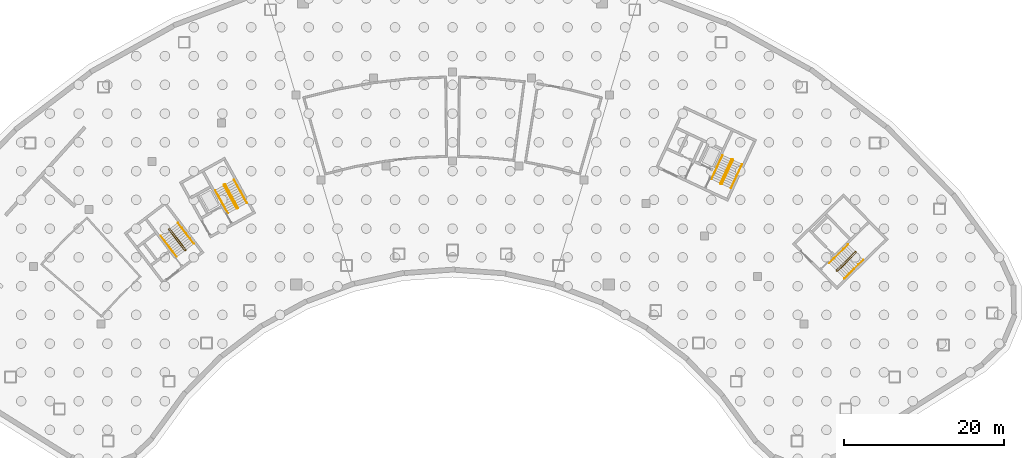
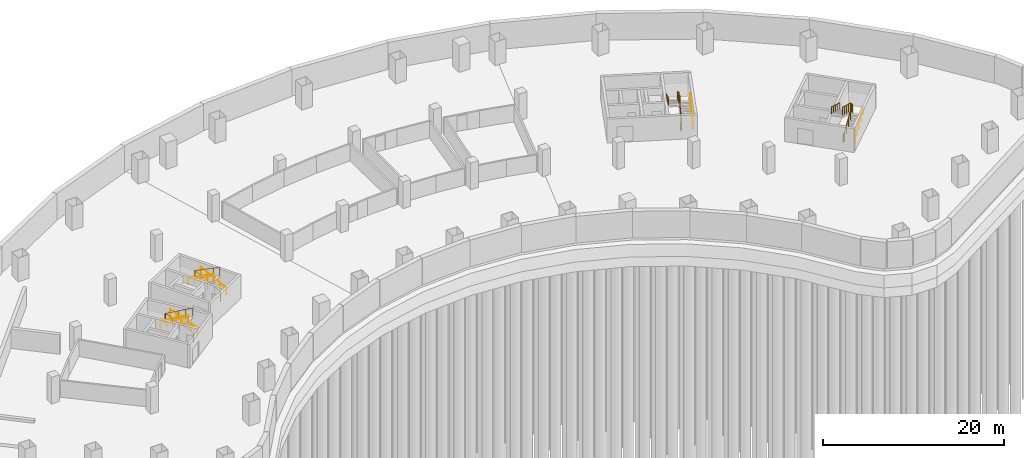
# One storey, part 9 of 10: 12 railings.
"""IFC4 building model written with IfcOpenShell, lengths in metres."""

from ifc_helpers import new_model, si_unit, direction, frame, origin, origin_2d, place, context, subcontext, project, spatial, circle, extrude, material, type_object, element, save


model = new_model("IFC4")

# Units and contexts
model_context = context("Model", 3, precision=1e-05, world=origin(), true_north=direction((0.0, 1.0)))
body_context = subcontext(model_context, "Body", "Model", "MODEL_VIEW")
ifc_project = project(units=[si_unit("LENGTHUNIT", "METRE"), si_unit("AREAUNIT", "SQUARE_METRE"), si_unit("VOLUMEUNIT", "CUBIC_METRE"), si_unit("PLANEANGLEUNIT", "RADIAN"), si_unit("MASSUNIT", "GRAM", prefix="KILO")], contexts=[model_context])

# Site, building, storey
site_placement = place(None, origin())
site = spatial("IfcSite", under=ifc_project, at=site_placement, CompositionType="ELEMENT")
building_placement = place(site_placement, origin())
building = spatial("IfcBuilding", under=site, at=building_placement, Name="Tuul Gate Civic Tower", CompositionType="ELEMENT")
storey_placement = place(building_placement, frame((0.0, 0.0, -11.699951171875)))
storey = spatial("IfcBuildingStorey", under=building, at=storey_placement, Name="Basement 3", CompositionType="ELEMENT", Elevation=-11.699951171875)

# Railings
ifc_material_1 = material(Name="Painted steel", Category="steel")
railing_type_1 = type_object("IfcRailingType", Name="Stair guard", PredefinedType="GUARDRAIL", material=ifc_material_1)
railing_1_placement = place(storey_placement, frame((-33.382080078125, -13.515380859375, 0.0)))
element("IfcRailing", 1, at=railing_1_placement, inside=storey, type_object=railing_type_1, Name="Basement 3 ST-1 stair guard 1", PredefinedType="GUARDRAIL", context=body_context, shape_type="SweptSolid", body=[
    extrude(circle(Radius=0.02392578125, at=origin_2d()), frame((0.0, 0.0, 1.076171875), z_axis=(-0.795879841968, -0.605454603706, 0.0), x_axis=(0.605454603706, -0.795879841968, 0.0)), (0.0, 0.0, 1.0), 0.10009765625),
    extrude(circle(Radius=0.02392578125, at=origin_2d()), frame((-0.07958984375, -0.060546875, 1.076171875), z_axis=(0.408991890351, 0.599481263939, 0.688002796371), x_axis=(-0.826063974707, 0.563576356576, 0.0)), (0.0, 0.0, 1.0), 0.2177734375),
    extrude(circle(Radius=0.02392578125, at=origin_2d()), frame((0.009521484375, 0.070068359375, 1.22607421875), z_axis=(-0.541817039649, 0.711614612162, 0.447257128846), x_axis=(-0.795628686791, -0.60578460921, 0.0)), (0.0, 0.0, 1.0), 3.689453125),
    extrude(circle(Radius=0.02392578125, at=origin_2d()), frame((-1.989501953125, 2.695556640625, 2.8759765625), z_axis=(-0.990893089246, 0.134650977284, 0.0), x_axis=(-0.134650977284, -0.990893089246, 0.0)), (0.0, 0.0, 1.0), 0.07080078125),
    extrude(circle(Radius=0.02392578125, at=origin_2d()), frame((-2.0595703125, 2.705078125, 2.8759765625), z_axis=(-0.795879841968, -0.605454603706, 0.0), x_axis=(0.605454603706, -0.795879841968, 0.0)), (0.0, 0.0, 1.0), 0.10009765625),
    extrude(circle(Radius=0.02392578125, at=origin_2d()), frame((-2.13916015625, 2.64453125, 2.8759765625), z_axis=(-0.057447065493, -0.422751481959, 0.904423031091), x_axis=(0.990893089246, -0.134650977284, 0.0)), (0.0, 0.0, 1.0), 0.165771484375),
    extrude(circle(Radius=0.02392578125, at=origin_2d()), frame((-2.148681640625, 2.574462890625, 3.02587890625), z_axis=(0.541833074758, -0.711635672441, 0.447204191403), x_axis=(0.795628686791, 0.60578460921, 0.0)), (0.0, 0.0, 1.0), 3.689453125),
    extrude(circle(Radius=0.02099609375, at=origin_2d()), origin(), (0.0, 0.0, 1.0), 1.052001953125),
    extrude(circle(Radius=0.02099609375, at=origin_2d()), frame((-0.07958984375, -0.060546875, 0.0)), (0.0, 0.0, 1.0), 1.052001953125),
    extrude(circle(Radius=0.02099609375, at=origin_2d()), frame((0.009521484375, 0.070068359375, 0.14990234375)), (0.0, 0.0, 1.0), 1.052001953125),
    extrude(circle(Radius=0.02099609375, at=origin_2d()), frame((-0.490234375, 0.7265625, 0.5625)), (0.0, 0.0, 1.0), 1.052001953125),
    extrude(circle(Radius=0.02099609375, at=origin_2d()), frame((-0.989990234375, 1.3828125, 0.97509765625)), (0.0, 0.0, 1.0), 1.052001953125),
    extrude(circle(Radius=0.02099609375, at=origin_2d()), frame((-1.48974609375, 2.0390625, 1.387451171875)), (0.0, 0.0, 1.0), 1.052001953125),
    extrude(circle(Radius=0.02099609375, at=origin_2d()), frame((-1.989501953125, 2.695556640625, 1.800048828125)), (0.0, 0.0, 1.0), 1.052001953125),
    extrude(circle(Radius=0.02099609375, at=origin_2d()), frame((-2.0595703125, 2.705078125, 1.800048828125)), (0.0, 0.0, 1.0), 1.052001953125),
    extrude(circle(Radius=0.02099609375, at=origin_2d()), frame((-2.13916015625, 2.64453125, 1.800048828125)), (0.0, 0.0, 1.0), 1.052001953125),
    extrude(circle(Radius=0.02099609375, at=origin_2d()), frame((-2.148681640625, 2.574462890625, 1.949951171875)), (0.0, 0.0, 1.0), 1.052001953125),
    extrude(circle(Radius=0.02099609375, at=origin_2d()), frame((-1.64892578125, 1.91796875, 2.3623046875)), (0.0, 0.0, 1.0), 1.052001953125),
    extrude(circle(Radius=0.02099609375, at=origin_2d()), frame((-1.149169921875, 1.26171875, 2.77490234375)), (0.0, 0.0, 1.0), 1.052001953125),
    extrude(circle(Radius=0.02099609375, at=origin_2d()), frame((-0.6494140625, 0.60546875, 3.1875)), (0.0, 0.0, 1.0), 1.052001953125),
    extrude(circle(Radius=0.02099609375, at=origin_2d()), frame((-0.149658203125, -0.051025390625, 3.599853515625)), (0.0, 0.0, 1.0), 1.052001953125),
])
railing_2_placement = place(storey_placement, frame((-26.857666015625, -8.247314453125, 0.0)))
element("IfcRailing", 2, at=railing_2_placement, inside=storey, type_object=railing_type_1, Name="Basement 3 ST-2 stair guard 1", PredefinedType="GUARDRAIL", context=body_context, shape_type="SweptSolid", body=[
    extrude(circle(Radius=0.02392578125, at=origin_2d()), frame((0.0, 0.0, 1.076171875), z_axis=(-0.874616555828, -0.48481530532, 0.0), x_axis=(0.48481530532, -0.874616555828, 0.0)), (0.0, 0.0, 1.0), 0.10009765625),
    extrude(circle(Radius=0.02392578125, at=origin_2d()), frame((-0.087646484375, -0.048583984375, 1.076171875), z_axis=(0.49081399482, 0.534516610797, 0.688036056665), x_axis=(-0.736576986774, 0.676353711126, 0.0)), (0.0, 0.0, 1.0), 0.2177734375),
    extrude(circle(Radius=0.02392578125, at=origin_2d()), frame((0.019287109375, 0.06787109375, 1.22607421875), z_axis=(-0.433540359644, 0.782318020769, 0.447237376501), x_axis=(-0.874669765463, -0.484719301642, 0.0)), (0.0, 0.0, 1.0), 3.689697265625),
    extrude(circle(Radius=0.02392578125, at=origin_2d()), frame((-1.580322265625, 2.954345703125, 2.8759765625), z_axis=(-0.961914682459, 0.273349855807, 0.0), x_axis=(-0.273349855807, -0.961914682459, 0.0)), (0.0, 0.0, 1.0), 0.070556640625),
    extrude(circle(Radius=0.02392578125, at=origin_2d()), frame((-1.648193359375, 2.9736328125, 2.8759765625), z_axis=(-0.87564882518, -0.482948377119, 0.0), x_axis=(0.482948377119, -0.87564882518, 0.0)), (0.0, 0.0, 1.0), 0.10009765625),
    extrude(circle(Radius=0.02392578125, at=origin_2d()), frame((-1.73583984375, 2.92529296875, 2.8759765625), z_axis=(-0.116342901606, -0.410881893015, 0.904234703624), x_axis=(0.962171938298, -0.272442950271, 0.0)), (0.0, 0.0, 1.0), 0.165771484375),
    extrude(circle(Radius=0.02392578125, at=origin_2d()), frame((-1.755126953125, 2.857177734375, 3.02587890625), z_axis=(0.43357563431, -0.782315498904, 0.447207591067), x_axis=(0.874652381884, 0.484750668762, 0.0)), (0.0, 0.0, 1.0), 3.689453125),
    extrude(circle(Radius=0.02099609375, at=origin_2d()), origin(), (0.0, 0.0, 1.0), 1.052001953125),
    extrude(circle(Radius=0.02099609375, at=origin_2d()), frame((-0.087646484375, -0.048583984375, 0.0)), (0.0, 0.0, 1.0), 1.052001953125),
    extrude(circle(Radius=0.02099609375, at=origin_2d()), frame((0.019287109375, 0.06787109375, 0.14990234375)), (0.0, 0.0, 1.0), 1.052001953125),
    extrude(circle(Radius=0.02099609375, at=origin_2d()), frame((-0.380615234375, 0.78955078125, 0.5625)), (0.0, 0.0, 1.0), 1.052001953125),
    extrude(circle(Radius=0.02099609375, at=origin_2d()), frame((-0.780517578125, 1.51123046875, 0.97509765625)), (0.0, 0.0, 1.0), 1.052001953125),
    extrude(circle(Radius=0.02099609375, at=origin_2d()), frame((-1.180419921875, 2.232666015625, 1.387451171875)), (0.0, 0.0, 1.0), 1.052001953125),
    extrude(circle(Radius=0.02099609375, at=origin_2d()), frame((-1.580322265625, 2.954345703125, 1.800048828125)), (0.0, 0.0, 1.0), 1.052001953125),
    extrude(circle(Radius=0.02099609375, at=origin_2d()), frame((-1.648193359375, 2.9736328125, 1.800048828125)), (0.0, 0.0, 1.0), 1.052001953125),
    extrude(circle(Radius=0.02099609375, at=origin_2d()), frame((-1.73583984375, 2.92529296875, 1.800048828125)), (0.0, 0.0, 1.0), 1.052001953125),
    extrude(circle(Radius=0.02099609375, at=origin_2d()), frame((-1.755126953125, 2.857177734375, 1.949951171875)), (0.0, 0.0, 1.0), 1.052001953125),
    extrude(circle(Radius=0.02099609375, at=origin_2d()), frame((-1.355224609375, 2.1357421875, 2.3623046875)), (0.0, 0.0, 1.0), 1.052001953125),
    extrude(circle(Radius=0.02099609375, at=origin_2d()), frame((-0.955322265625, 1.4140625, 2.77490234375)), (0.0, 0.0, 1.0), 1.052001953125),
    extrude(circle(Radius=0.02099609375, at=origin_2d()), frame((-0.555419921875, 0.6923828125, 3.1875)), (0.0, 0.0, 1.0), 1.052001953125),
    extrude(circle(Radius=0.02099609375, at=origin_2d()), frame((-0.155517578125, -0.029052734375, 3.599853515625)), (0.0, 0.0, 1.0), 1.052001953125),
])
railing_3_placement = place(storey_placement, frame((48.10546875, -16.134765625, 0.0)))
element("IfcRailing", 3, at=railing_3_placement, inside=storey, type_object=railing_type_1, Name="Basement 3 ST-3 stair guard 1", PredefinedType="GUARDRAIL", context=body_context, shape_type="SweptSolid", body=[
    extrude(circle(Radius=0.02392578125, at=origin_2d()), frame((0.0, 0.0, 1.076171875), z_axis=(-0.698506948293, 0.715603272202, 0.0), x_axis=(-0.715603272202, -0.698506948293, 0.0)), (0.0, 0.0, 1.0), 0.099853515625),
    extrude(circle(Radius=0.02392578125, at=origin_2d()), frame((-0.06982421875, 0.071533203125, 1.076171875), z_axis=(0.645446321009, -0.331687692741, 0.688027849131), x_axis=(0.457068866502, 0.889431307788, 0.0)), (0.0, 0.0, 1.0), 0.2177734375),
    extrude(circle(Radius=0.02392578125, at=origin_2d()), frame((0.07080078125, -0.000732421875, 1.22607421875), z_axis=(0.638733984152, 0.626095613596, 0.447239510917), x_axis=(-0.700006317678, 0.714136650237, 0.0)), (0.0, 0.0, 1.0), 3.689697265625),
    extrude(circle(Radius=0.02392578125, at=origin_2d()), frame((2.427490234375, 2.309326171875, 2.8759765625), z_axis=(0.010344274102, 0.999946496565, 0.0), x_axis=(-0.999946496565, 0.010344274102, 0.0)), (0.0, 0.0, 1.0), 0.07080078125),
    extrude(circle(Radius=0.02392578125, at=origin_2d()), frame((2.42822265625, 2.380126953125, 2.8759765625), z_axis=(-0.700974368541, 0.713186465554, 0.0), x_axis=(-0.713186465554, -0.700974368541, 0.0)), (0.0, 0.0, 1.0), 0.099853515625),
    extrude(circle(Radius=0.02392578125, at=origin_2d()), frame((2.358154296875, 2.451416015625, 2.8759765625), z_axis=(-0.427069033481, 0.004417955519, 0.904208229508), x_axis=(-0.010344274102, -0.999946496565, 0.0)), (0.0, 0.0, 1.0), 0.165771484375),
    extrude(circle(Radius=0.02392578125, at=origin_2d()), frame((2.287353515625, 2.4521484375, 3.02587890625), z_axis=(-0.638752886034, -0.626114141475, 0.447186574518), x_axis=(0.700006317678, -0.714136650237, 0.0)), (0.0, 0.0, 1.0), 3.689453125),
    extrude(circle(Radius=0.02099609375, at=origin_2d()), origin(), (0.0, 0.0, 1.0), 1.052001953125),
    extrude(circle(Radius=0.02099609375, at=origin_2d()), frame((-0.06982421875, 0.071533203125, 0.0)), (0.0, 0.0, 1.0), 1.052001953125),
    extrude(circle(Radius=0.02099609375, at=origin_2d()), frame((0.07080078125, -0.000732421875, 0.14990234375)), (0.0, 0.0, 1.0), 1.052001953125),
    extrude(circle(Radius=0.02099609375, at=origin_2d()), frame((0.659912109375, 0.57666015625, 0.5625)), (0.0, 0.0, 1.0), 1.052001953125),
    extrude(circle(Radius=0.02099609375, at=origin_2d()), frame((1.2490234375, 1.154296875, 0.97509765625)), (0.0, 0.0, 1.0), 1.052001953125),
    extrude(circle(Radius=0.02099609375, at=origin_2d()), frame((1.83837890625, 1.73193359375, 1.387451171875)), (0.0, 0.0, 1.0), 1.052001953125),
    extrude(circle(Radius=0.02099609375, at=origin_2d()), frame((2.427490234375, 2.309326171875, 1.800048828125)), (0.0, 0.0, 1.0), 1.052001953125),
    extrude(circle(Radius=0.02099609375, at=origin_2d()), frame((2.42822265625, 2.380126953125, 1.800048828125)), (0.0, 0.0, 1.0), 1.052001953125),
    extrude(circle(Radius=0.02099609375, at=origin_2d()), frame((2.358154296875, 2.451416015625, 1.800048828125)), (0.0, 0.0, 1.0), 1.052001953125),
    extrude(circle(Radius=0.02099609375, at=origin_2d()), frame((2.287353515625, 2.4521484375, 1.949951171875)), (0.0, 0.0, 1.0), 1.052001953125),
    extrude(circle(Radius=0.02099609375, at=origin_2d()), frame((1.6982421875, 1.87451171875, 2.3623046875)), (0.0, 0.0, 1.0), 1.052001953125),
    extrude(circle(Radius=0.02099609375, at=origin_2d()), frame((1.10888671875, 1.297119140625, 2.77490234375)), (0.0, 0.0, 1.0), 1.052001953125),
    extrude(circle(Radius=0.02099609375, at=origin_2d()), frame((0.519775390625, 0.7197265625, 3.1875)), (0.0, 0.0, 1.0), 1.052001953125),
    extrude(circle(Radius=0.02099609375, at=origin_2d()), frame((-0.0693359375, 0.14208984375, 3.599853515625)), (0.0, 0.0, 1.0), 1.052001953125),
])
railing_4_placement = place(storey_placement, frame((33.645751953125, -5.238525390625, 0.0)))
element("IfcRailing", 4, at=railing_4_placement, inside=storey, type_object=railing_type_1, Name="Basement 3 ST-4 stair guard 1", PredefinedType="GUARDRAIL", context=body_context, shape_type="SweptSolid", body=[
    extrude(circle(Radius=0.02392578125, at=origin_2d()), frame((0.0, 0.0, 1.076171875), z_axis=(-0.906307919131, 0.422617978463, 0.0), x_axis=(-0.422617978463, -0.906307919131, 0.0)), (0.0, 0.0, 1.0), 0.099853515625),
    extrude(circle(Radius=0.02392578125, at=origin_2d()), frame((-0.090576171875, 0.042236328125, 1.076171875), z_axis=(0.720735628292, -0.082946246491, 0.688229666829), x_axis=(0.114330889033, 0.993442724979, 0.0)), (0.0, 0.0, 1.0), 0.2177734375),
    extrude(circle(Radius=0.02392578125, at=origin_2d()), frame((0.06640625, 0.024169921875, 1.22607421875), z_axis=(0.377976954193, 0.810612340488, 0.447259494642), x_axis=(-0.906315404461, 0.422601925737, 0.0)), (0.0, 0.0, 1.0), 3.689453125),
    extrude(circle(Radius=0.02392578125, at=origin_2d()), frame((1.4609375, 3.014892578125, 2.8759765625), z_axis=(-0.340913456846, 0.94009468403, 0.0), x_axis=(-0.94009468403, -0.340913456846, 0.0)), (0.0, 0.0, 1.0), 0.07080078125),
    extrude(circle(Radius=0.02392578125, at=origin_2d()), frame((1.436767578125, 3.08154296875, 2.8759765625), z_axis=(-0.906307919131, 0.422617978463, 0.0), x_axis=(-0.422617978463, -0.906307919131, 0.0)), (0.0, 0.0, 1.0), 0.099853515625),
    extrude(circle(Radius=0.02392578125, at=origin_2d()), frame((1.34619140625, 3.123779296875, 2.8759765625), z_axis=(-0.401937642714, -0.145757606699, 0.903991621343), x_axis=(0.340913456846, -0.94009468403, 0.0)), (0.0, 0.0, 1.0), 0.165771484375),
    extrude(circle(Radius=0.02392578125, at=origin_2d()), frame((1.279541015625, 3.099609375, 3.02587890625), z_axis=(-0.377911144985, -0.810679292105, 0.447193752024), x_axis=(0.906356948754, -0.422512818083, 0.0)), (0.0, 0.0, 1.0), 3.689453125),
    extrude(circle(Radius=0.02099609375, at=origin_2d()), origin(), (0.0, 0.0, 1.0), 1.052001953125),
    extrude(circle(Radius=0.02099609375, at=origin_2d()), frame((-0.090576171875, 0.042236328125, 0.0)), (0.0, 0.0, 1.0), 1.052001953125),
    extrude(circle(Radius=0.02099609375, at=origin_2d()), frame((0.06640625, 0.024169921875, 0.14990234375)), (0.0, 0.0, 1.0), 1.052001953125),
    extrude(circle(Radius=0.02099609375, at=origin_2d()), frame((0.4150390625, 0.77197265625, 0.5625)), (0.0, 0.0, 1.0), 1.052001953125),
    extrude(circle(Radius=0.02099609375, at=origin_2d()), frame((0.763671875, 1.51953125, 0.97509765625)), (0.0, 0.0, 1.0), 1.052001953125),
    extrude(circle(Radius=0.02099609375, at=origin_2d()), frame((1.1123046875, 2.26708984375, 1.387451171875)), (0.0, 0.0, 1.0), 1.052001953125),
    extrude(circle(Radius=0.02099609375, at=origin_2d()), frame((1.4609375, 3.014892578125, 1.800048828125)), (0.0, 0.0, 1.0), 1.052001953125),
    extrude(circle(Radius=0.02099609375, at=origin_2d()), frame((1.436767578125, 3.08154296875, 1.800048828125)), (0.0, 0.0, 1.0), 1.052001953125),
    extrude(circle(Radius=0.02099609375, at=origin_2d()), frame((1.34619140625, 3.123779296875, 1.800048828125)), (0.0, 0.0, 1.0), 1.052001953125),
    extrude(circle(Radius=0.02099609375, at=origin_2d()), frame((1.279541015625, 3.099609375, 1.949951171875)), (0.0, 0.0, 1.0), 1.052001953125),
    extrude(circle(Radius=0.02099609375, at=origin_2d()), frame((0.930908203125, 2.351806640625, 2.3623046875)), (0.0, 0.0, 1.0), 1.052001953125),
    extrude(circle(Radius=0.02099609375, at=origin_2d()), frame((0.58251953125, 1.60400390625, 2.77490234375)), (0.0, 0.0, 1.0), 1.052001953125),
    extrude(circle(Radius=0.02099609375, at=origin_2d()), frame((0.23388671875, 0.8564453125, 3.1875)), (0.0, 0.0, 1.0), 1.052001953125),
    extrude(circle(Radius=0.02099609375, at=origin_2d()), frame((-0.11474609375, 0.108642578125, 3.599853515625)), (0.0, 0.0, 1.0), 1.052001953125),
])
ifc_material_2 = material(Name="Painted steel", Category="steel")
railing_type_2 = type_object("IfcRailingType", Name="Stair handrail", PredefinedType="HANDRAIL", material=ifc_material_2)
railing_5_placement = place(storey_placement, frame((-32.3779296875, -12.688232421875, 0.14990234375)))
element("IfcRailing", 5, at=railing_5_placement, inside=storey, type_object=railing_type_2, Name="Basement 3 ST-1 stair handrail 1", PredefinedType="HANDRAIL", context=body_context, shape_type="SweptSolid", body=[
    extrude(circle(Radius=0.02392578125, at=origin_2d()), frame((0.0, 0.0, 0.8759765625), z_axis=(-0.54179152663, 0.711647272704, 0.447236068453), x_axis=(-0.795655834834, -0.605748951708, 0.0)), (0.0, 0.0, 1.0), 3.689697265625),
    extrude(circle(Radius=0.02099609375, at=origin_2d()), origin(), (0.0, 0.0, 1.0), 0.851806640625),
    extrude(circle(Radius=0.02099609375, at=origin_2d()), frame((-0.499755859375, 0.656494140625, 0.41259765625)), (0.0, 0.0, 1.0), 0.851806640625),
    extrude(circle(Radius=0.02099609375, at=origin_2d()), frame((-0.99951171875, 1.31298828125, 0.8251953125)), (0.0, 0.0, 1.0), 0.851806640625),
    extrude(circle(Radius=0.02099609375, at=origin_2d()), frame((-1.499267578125, 1.96923828125, 1.237548828125)), (0.0, 0.0, 1.0), 0.851806640625),
    extrude(circle(Radius=0.02099609375, at=origin_2d()), frame((-1.9990234375, 2.625732421875, 1.650146484375)), (0.0, 0.0, 1.0), 0.851806640625),
])
railing_6_placement = place(storey_placement, frame((-36.525146484375, -11.697998046875, 1.949951171875)))
element("IfcRailing", 6, at=railing_6_placement, inside=storey, type_object=railing_type_2, Name="Basement 3 ST-1 stair handrail 2", PredefinedType="HANDRAIL", context=body_context, shape_type="SweptSolid", body=[
    extrude(circle(Radius=0.02392578125, at=origin_2d()), frame((0.0, 0.0, 0.8759765625), z_axis=(0.541807559473, -0.711668331966, 0.447183132257), x_axis=(0.795655834834, 0.605748951708, 0.0)), (0.0, 0.0, 1.0), 3.689453125),
    extrude(circle(Radius=0.02099609375, at=origin_2d()), origin(), (0.0, 0.0, 1.0), 0.851806640625),
    extrude(circle(Radius=0.02099609375, at=origin_2d()), frame((0.499755859375, -0.656494140625, 0.41259765625)), (0.0, 0.0, 1.0), 0.851806640625),
    extrude(circle(Radius=0.02099609375, at=origin_2d()), frame((0.99951171875, -1.31298828125, 0.824951171875)), (0.0, 0.0, 1.0), 0.851806640625),
    extrude(circle(Radius=0.02099609375, at=origin_2d()), frame((1.499267578125, -1.96923828125, 1.2373046875)), (0.0, 0.0, 1.0), 0.851806640625),
    extrude(circle(Radius=0.02099609375, at=origin_2d()), frame((1.9990234375, -2.625732421875, 1.64990234375)), (0.0, 0.0, 1.0), 0.851806640625),
])
railing_7_placement = place(storey_placement, frame((-25.744873046875, -7.573486328125, 0.14990234375)))
element("IfcRailing", 7, at=railing_7_placement, inside=storey, type_object=railing_type_2, Name="Basement 3 ST-2 stair handrail 1", PredefinedType="HANDRAIL", context=body_context, shape_type="SweptSolid", body=[
    extrude(circle(Radius=0.02392578125, at=origin_2d()), frame((0.0, 0.0, 0.8759765625), z_axis=(-0.433594089522, 0.782295577663, 0.447224546174), x_axis=(-0.874638399355, -0.484775897063, 0.0)), (0.0, 0.0, 1.0), 3.689697265625),
    extrude(circle(Radius=0.02099609375, at=origin_2d()), origin(), (0.0, 0.0, 1.0), 0.851806640625),
    extrude(circle(Radius=0.02099609375, at=origin_2d()), frame((-0.39990234375, 0.7216796875, 0.41259765625)), (0.0, 0.0, 1.0), 0.851806640625),
    extrude(circle(Radius=0.02099609375, at=origin_2d()), frame((-0.7998046875, 1.443359375, 0.8251953125)), (0.0, 0.0, 1.0), 0.851806640625),
    extrude(circle(Radius=0.02099609375, at=origin_2d()), frame((-1.199951171875, 2.164794921875, 1.237548828125)), (0.0, 0.0, 1.0), 0.851806640625),
    extrude(circle(Radius=0.02099609375, at=origin_2d()), frame((-1.599853515625, 2.886474609375, 1.650146484375)), (0.0, 0.0, 1.0), 0.851806640625),
])
railing_8_placement = place(storey_placement, frame((-29.706298828125, -5.99609375, 1.949951171875)))
element("IfcRailing", 8, at=railing_8_placement, inside=storey, type_object=railing_type_2, Name="Basement 3 ST-2 stair handrail 2", PredefinedType="HANDRAIL", context=body_context, shape_type="SweptSolid", body=[
    extrude(circle(Radius=0.02392578125, at=origin_2d()), frame((0.0, 0.0, 0.8759765625), z_axis=(0.433629366535, -0.782293052218, 0.447194759507), x_axis=(0.87462101234, 0.484807265595, 0.0)), (0.0, 0.0, 1.0), 3.689453125),
    extrude(circle(Radius=0.02099609375, at=origin_2d()), origin(), (0.0, 0.0, 1.0), 0.851806640625),
    extrude(circle(Radius=0.02099609375, at=origin_2d()), frame((0.39990234375, -0.7216796875, 0.41259765625)), (0.0, 0.0, 1.0), 0.851806640625),
    extrude(circle(Radius=0.02099609375, at=origin_2d()), frame((0.7998046875, -1.443115234375, 0.824951171875)), (0.0, 0.0, 1.0), 0.851806640625),
    extrude(circle(Radius=0.02099609375, at=origin_2d()), frame((1.199951171875, -2.16455078125, 1.2373046875)), (0.0, 0.0, 1.0), 0.851806640625),
    extrude(circle(Radius=0.02099609375, at=origin_2d()), frame((1.599853515625, -2.88623046875, 1.64990234375)), (0.0, 0.0, 1.0), 0.851806640625),
])
railing_9_placement = place(storey_placement, frame((49.05126953125, -17.028076171875, 0.14990234375)))
element("IfcRailing", 9, at=railing_9_placement, inside=storey, type_object=railing_type_2, Name="Basement 3 ST-3 stair handrail 1", PredefinedType="HANDRAIL", context=body_context, shape_type="SweptSolid", body=[
    extrude(circle(Radius=0.02392578125, at=origin_2d()), frame((0.0, 0.0, 0.8759765625), z_axis=(0.638733984152, 0.626095613596, 0.447239510917), x_axis=(-0.700006317678, 0.714136650237, 0.0)), (0.0, 0.0, 1.0), 3.689697265625),
    extrude(circle(Radius=0.02099609375, at=origin_2d()), origin(), (0.0, 0.0, 1.0), 0.851806640625),
    extrude(circle(Radius=0.02099609375, at=origin_2d()), frame((0.589111328125, 0.57763671875, 0.41259765625)), (0.0, 0.0, 1.0), 0.851806640625),
    extrude(circle(Radius=0.02099609375, at=origin_2d()), frame((1.17822265625, 1.155029296875, 0.8251953125)), (0.0, 0.0, 1.0), 0.851806640625),
    extrude(circle(Radius=0.02099609375, at=origin_2d()), frame((1.767578125, 1.732421875, 1.237548828125)), (0.0, 0.0, 1.0), 0.851806640625),
    extrude(circle(Radius=0.02099609375, at=origin_2d()), frame((2.356689453125, 2.31005859375, 1.650146484375)), (0.0, 0.0, 1.0), 0.851806640625),
])
railing_10_placement = place(storey_placement, frame((49.517822265625, -12.789794921875, 1.949951171875)))
element("IfcRailing", 10, at=railing_10_placement, inside=storey, type_object=railing_type_2, Name="Basement 3 ST-3 stair handrail 2", PredefinedType="HANDRAIL", context=body_context, shape_type="SweptSolid", body=[
    extrude(circle(Radius=0.02392578125, at=origin_2d()), frame((0.0, 0.0, 0.8759765625), z_axis=(-0.638752886034, -0.626114141475, 0.447186574518), x_axis=(0.700006317678, -0.714136650237, 0.0)), (0.0, 0.0, 1.0), 3.689453125),
    extrude(circle(Radius=0.02099609375, at=origin_2d()), origin(), (0.0, 0.0, 1.0), 0.851806640625),
    extrude(circle(Radius=0.02099609375, at=origin_2d()), frame((-0.589111328125, -0.57763671875, 0.41259765625)), (0.0, 0.0, 1.0), 0.851806640625),
    extrude(circle(Radius=0.02099609375, at=origin_2d()), frame((-1.17822265625, -1.155029296875, 0.824951171875)), (0.0, 0.0, 1.0), 0.851806640625),
    extrude(circle(Radius=0.02099609375, at=origin_2d()), frame((-1.767578125, -1.732421875, 1.2373046875)), (0.0, 0.0, 1.0), 0.851806640625),
    extrude(circle(Radius=0.02099609375, at=origin_2d()), frame((-2.356689453125, -2.31005859375, 1.64990234375)), (0.0, 0.0, 1.0), 0.851806640625),
])
railing_11_placement = place(storey_placement, frame((34.844970703125, -5.74267578125, 0.14990234375)))
element("IfcRailing", 11, at=railing_11_placement, inside=storey, type_object=railing_type_2, Name="Basement 3 ST-4 stair handrail 1", PredefinedType="HANDRAIL", context=body_context, shape_type="SweptSolid", body=[
    extrude(circle(Radius=0.02392578125, at=origin_2d()), frame((0.0, 0.0, 0.8759765625), z_axis=(0.37795668024, 0.810635029696, 0.447235504507), x_axis=(-0.906328616278, 0.422573590415, 0.0)), (0.0, 0.0, 1.0), 3.689697265625),
    extrude(circle(Radius=0.02099609375, at=origin_2d()), origin(), (0.0, 0.0, 1.0), 0.851806640625),
    extrude(circle(Radius=0.02099609375, at=origin_2d()), frame((0.3486328125, 0.747802734375, 0.41259765625)), (0.0, 0.0, 1.0), 0.851806640625),
    extrude(circle(Radius=0.02099609375, at=origin_2d()), frame((0.697265625, 1.49560546875, 0.8251953125)), (0.0, 0.0, 1.0), 0.851806640625),
    extrude(circle(Radius=0.02099609375, at=origin_2d()), frame((1.0458984375, 2.2431640625, 1.237548828125)), (0.0, 0.0, 1.0), 0.851806640625),
    extrude(circle(Radius=0.02099609375, at=origin_2d()), frame((1.39453125, 2.990966796875, 1.650146484375)), (0.0, 0.0, 1.0), 0.851806640625),
])
railing_12_placement = place(storey_placement, frame((33.79248046875, -1.61083984375, 1.949951171875)))
element("IfcRailing", 12, at=railing_12_placement, inside=storey, type_object=railing_type_2, Name="Basement 3 ST-4 stair handrail 2", PredefinedType="HANDRAIL", context=body_context, shape_type="SweptSolid", body=[
    extrude(circle(Radius=0.02392578125, at=origin_2d()), frame((0.0, 0.0, 0.8759765625), z_axis=(-0.377988140563, -0.810636330864, 0.44720655706), x_axis=(0.906315404461, -0.422601925737, 0.0)), (0.0, 0.0, 1.0), 3.689453125),
    extrude(circle(Radius=0.02099609375, at=origin_2d()), origin(), (0.0, 0.0, 1.0), 0.851806640625),
    extrude(circle(Radius=0.02099609375, at=origin_2d()), frame((-0.3486328125, -0.74755859375, 0.41259765625)), (0.0, 0.0, 1.0), 0.851806640625),
    extrude(circle(Radius=0.02099609375, at=origin_2d()), frame((-0.697265625, -1.495361328125, 0.824951171875)), (0.0, 0.0, 1.0), 0.851806640625),
    extrude(circle(Radius=0.02099609375, at=origin_2d()), frame((-1.0458984375, -2.2431640625, 1.2373046875)), (0.0, 0.0, 1.0), 0.851806640625),
    extrude(circle(Radius=0.02099609375, at=origin_2d()), frame((-1.39453125, -2.99072265625, 1.64990234375)), (0.0, 0.0, 1.0), 0.851806640625),
])

save(model, "model.ifc")
